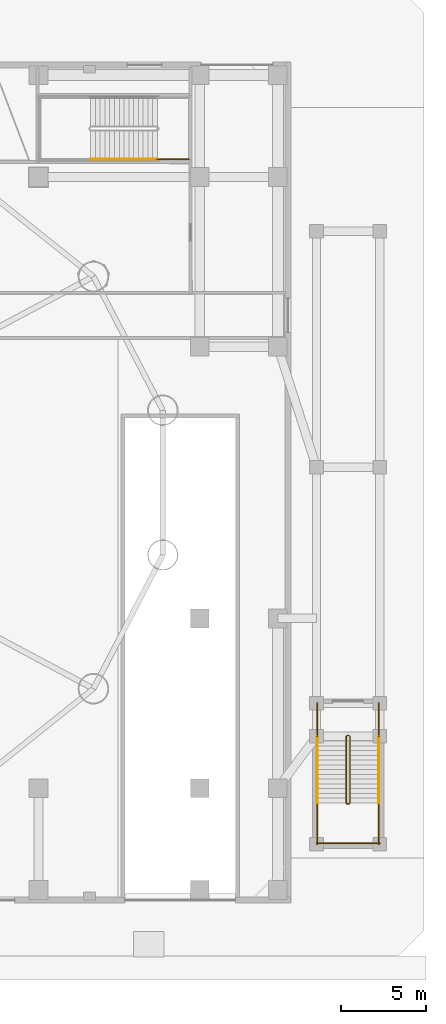
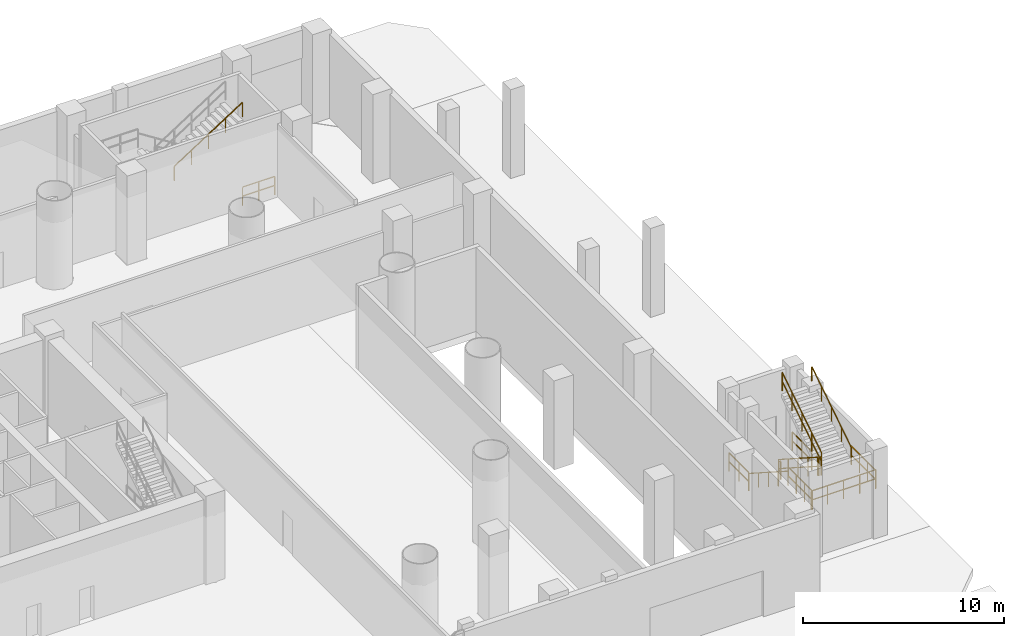
# One storey, part 23 of 25: 13 railings.
"""IFC4 building model written with IfcOpenShell, lengths in metres."""

from ifc_helpers import new_model, si_unit, direction, frame, origin, origin_2d, place, context, subcontext, project, spatial, rectangle, extrude, material, type_object, element, save


model = new_model("IFC4")

# Units and contexts
model_context = context("Model", 3, precision=1e-05, world=origin(), true_north=direction((-0.2419218956, 0.970295726276)))
body_context = subcontext(model_context, "Body", "Model", "MODEL_VIEW")
ifc_project = project(units=[si_unit("LENGTHUNIT", "METRE"), si_unit("AREAUNIT", "SQUARE_METRE"), si_unit("VOLUMEUNIT", "CUBIC_METRE"), si_unit("PLANEANGLEUNIT", "RADIAN"), si_unit("MASSUNIT", "GRAM", prefix="KILO")], contexts=[model_context])

# Site, building, storey
site_placement = place(None, origin())
site = spatial("IfcSite", under=ifc_project, at=site_placement, CompositionType="ELEMENT")
building_placement = place(site_placement, origin())
building = spatial("IfcBuilding", under=site, at=building_placement, Name="Cobrevalo Terracotta Tower", CompositionType="ELEMENT")
storey_placement = place(building_placement, origin())
storey = spatial("IfcBuildingStorey", under=building, at=storey_placement, Name="L00", CompositionType="ELEMENT", Elevation=0.0)

# Railings
ifc_material_1 = material(Name="Brushed stainless steel", Category="steel")
railing_type_1 = type_object("IfcRailingType", Name="Stainless Steel Stair Handrail 900", PredefinedType="HANDRAIL", material=ifc_material_1)
railing_1_placement = place(storey_placement, frame((60.580078125, 45.85009765625, 2.8798828125)))
element("IfcRailing", 1, at=railing_1_placement, inside=storey, type_object=railing_type_1, Name="L00 ST-P2 stair handrail 2", PredefinedType="HANDRAIL", context=body_context, shape_type="SweptSolid", body=[
    extrude(rectangle(XDim=0.048095703125, YDim=0.048095703125, at=origin_2d()), frame((0.0, 0.0, 0.8759765625), z_axis=(0.841171666519, 0.0, 0.540768182723), x_axis=(0.0, 1.0, 0.0)), (0.0, 0.0, 1.0), 4.66015625),
    extrude(rectangle(XDim=0.0419921875, YDim=0.0419921875, at=origin_2d()), origin(), (0.0, 0.0, 1.0), 0.851806640625),
    extrude(rectangle(XDim=0.0419921875, YDim=0.0419921875, at=origin_2d()), frame((0.97998046875, 0.0, 0.6298828125)), (0.0, 0.0, 1.0), 0.851806640625),
    extrude(rectangle(XDim=0.0419921875, YDim=0.0419921875, at=origin_2d()), frame((1.9599609375, 0.0, 1.260009765625)), (0.0, 0.0, 1.0), 0.851806640625),
    extrude(rectangle(XDim=0.0419921875, YDim=0.0419921875, at=origin_2d()), frame((2.93994140625, 0.0, 1.89013671875)), (0.0, 0.0, 1.0), 0.851806640625),
    extrude(rectangle(XDim=0.0419921875, YDim=0.0419921875, at=origin_2d()), frame((3.919921875, 0.0, 2.52001953125)), (0.0, 0.0, 1.0), 0.851806640625),
])
railing_2_placement = place(storey_placement, frame((73.929931640625, 11.85009765625, 0.179931640625)))
element("IfcRailing", 2, at=railing_2_placement, inside=storey, type_object=railing_type_1, Name="L00 ST-EXT-E stair handrail 1", PredefinedType="HANDRAIL", context=body_context, shape_type="SweptSolid", body=[
    extrude(rectangle(XDim=0.048095703125, YDim=0.048095703125, at=origin_2d()), frame((0.0, 0.0, 0.8759765625), z_axis=(0.0, -0.841186985886, 0.540744352514), x_axis=(1.0, 0.0, 0.0)), (0.0, 0.0, 1.0), 4.660400390625),
    extrude(rectangle(XDim=0.0419921875, YDim=0.0419921875, at=origin_2d()), origin(), (0.0, 0.0, 1.0), 0.851806640625),
    extrude(rectangle(XDim=0.0419921875, YDim=0.0419921875, at=origin_2d()), frame((0.0, -0.97998046875, 0.6298828125)), (0.0, 0.0, 1.0), 0.851806640625),
    extrude(rectangle(XDim=0.0419921875, YDim=0.0419921875, at=origin_2d()), frame((0.0, -1.9599609375, 1.260009765625)), (0.0, 0.0, 1.0), 0.851806640625),
    extrude(rectangle(XDim=0.0419921875, YDim=0.0419921875, at=origin_2d()), frame((0.0, -2.940185546875, 1.89013671875)), (0.0, 0.0, 1.0), 0.851806640625),
    extrude(rectangle(XDim=0.0419921875, YDim=0.0419921875, at=origin_2d()), frame((0.0, -3.920166015625, 2.52001953125)), (0.0, 0.0, 1.0), 0.851806640625),
])
railing_3_placement = place(storey_placement, frame((77.550048828125, 7.929931640625, 2.8798828125)))
element("IfcRailing", 3, at=railing_3_placement, inside=storey, type_object=railing_type_1, Name="L00 ST-EXT-E stair handrail 2", PredefinedType="HANDRAIL", context=body_context, shape_type="SweptSolid", body=[
    extrude(rectangle(XDim=0.048095703125, YDim=0.048095703125, at=origin_2d()), frame((0.0, 0.0, 0.8759765625), z_axis=(0.0, 0.841186985886, 0.540744352514), x_axis=(-1.0, 0.0, 0.0)), (0.0, 0.0, 1.0), 4.660400390625),
    extrude(rectangle(XDim=0.0419921875, YDim=0.0419921875, at=origin_2d()), origin(), (0.0, 0.0, 1.0), 0.851806640625),
    extrude(rectangle(XDim=0.0419921875, YDim=0.0419921875, at=origin_2d()), frame((0.0, 0.97998046875, 0.6298828125)), (0.0, 0.0, 1.0), 0.851806640625),
    extrude(rectangle(XDim=0.0419921875, YDim=0.0419921875, at=origin_2d()), frame((0.0, 1.9599609375, 1.260009765625)), (0.0, 0.0, 1.0), 0.851806640625),
    extrude(rectangle(XDim=0.0419921875, YDim=0.0419921875, at=origin_2d()), frame((0.0, 2.940185546875, 1.89013671875)), (0.0, 0.0, 1.0), 0.851806640625),
    extrude(rectangle(XDim=0.0419921875, YDim=0.0419921875, at=origin_2d()), frame((0.0, 3.920166015625, 2.52001953125)), (0.0, 0.0, 1.0), 0.851806640625),
])
ifc_material_2 = material(Name="Painted galvanized steel", Category="steel")
railing_type_2 = type_object("IfcRailingType", Name="Stair Well Guard Balustrade 1150", PredefinedType="GUARDRAIL", material=ifc_material_2)
railing_4_placement = place(storey_placement, frame((66.35009765625, 45.85009765625, 0.0)))
element("IfcRailing", 4, at=railing_4_placement, inside=storey, type_object=railing_type_2, Name="L00 ST-P2 stair guard 9", PredefinedType="GUARDRAIL", context=body_context, shape_type="SweptSolid", body=[
    extrude(rectangle(XDim=0.048095703125, YDim=0.048095703125, at=origin_2d()), frame((0.0, 0.0, 1.1259765625), z_axis=(-1.0, 0.0, 0.0), x_axis=(0.0, -1.0, 0.0)), (0.0, 0.0, 1.0), 1.85009765625),
    extrude(rectangle(XDim=0.048095703125, YDim=0.048095703125, at=origin_2d()), frame((0.0, 0.0, 0.574951171875), z_axis=(-1.0, 0.0, 0.0), x_axis=(0.0, -1.0, 0.0)), (0.0, 0.0, 1.0), 1.85009765625),
    extrude(rectangle(XDim=0.0419921875, YDim=0.0419921875, at=origin_2d()), origin(), (0.0, 0.0, 1.0), 1.101806640625),
    extrude(rectangle(XDim=0.0419921875, YDim=0.0419921875, at=origin_2d()), frame((-0.925048828125, 0.0, 0.0)), (0.0, 0.0, 1.0), 1.101806640625),
    extrude(rectangle(XDim=0.0419921875, YDim=0.0419921875, at=origin_2d()), frame((-1.85009765625, 0.0, 0.0)), (0.0, 0.0, 1.0), 1.101806640625),
])
railing_5_placement = place(storey_placement, frame((75.6298828125, 11.85009765625, 0.179931640625)))
element("IfcRailing", 5, at=railing_5_placement, inside=storey, type_object=railing_type_2, Name="L00 ST-EXT-E stair guard 1", PredefinedType="GUARDRAIL", context=body_context, shape_type="SweptSolid", body=[
    extrude(rectangle(XDim=0.048095703125, YDim=0.048095703125, at=origin_2d()), frame((0.0, 0.0, 1.1259765625), z_axis=(0.0, -0.841186985886, 0.540744352514), x_axis=(1.0, 0.0, 0.0)), (0.0, 0.0, 1.0), 4.660400390625),
    extrude(rectangle(XDim=0.048095703125, YDim=0.048095703125, at=origin_2d()), frame((0.0, 0.0, 0.574951171875), z_axis=(0.0, -0.841186985886, 0.540744352514), x_axis=(1.0, 0.0, 0.0)), (0.0, 0.0, 1.0), 4.660400390625),
    extrude(rectangle(XDim=0.0419921875, YDim=0.0419921875, at=origin_2d()), origin(), (0.0, 0.0, 1.0), 1.101806640625),
    extrude(rectangle(XDim=0.0419921875, YDim=0.0419921875, at=origin_2d()), frame((0.0, -0.97998046875, 0.6298828125)), (0.0, 0.0, 1.0), 1.101806640625),
    extrude(rectangle(XDim=0.0419921875, YDim=0.0419921875, at=origin_2d()), frame((0.0, -1.9599609375, 1.260009765625)), (0.0, 0.0, 1.0), 1.101806640625),
    extrude(rectangle(XDim=0.0419921875, YDim=0.0419921875, at=origin_2d()), frame((0.0, -2.940185546875, 1.89013671875)), (0.0, 0.0, 1.0), 1.101806640625),
    extrude(rectangle(XDim=0.0419921875, YDim=0.0419921875, at=origin_2d()), frame((0.0, -3.920166015625, 2.52001953125)), (0.0, 0.0, 1.0), 1.101806640625),
])
railing_6_placement = place(storey_placement, frame((75.679931640625, 7.8798828125, 2.699951171875)))
element("IfcRailing", 6, at=railing_6_placement, inside=storey, type_object=railing_type_2, Name="L00 ST-EXT-E stair guard 2", PredefinedType="GUARDRAIL", context=body_context, shape_type="SweptSolid", body=[
    extrude(rectangle(XDim=0.048095703125, YDim=0.048095703125, at=origin_2d()), frame((0.0, 0.0, 1.1259765625), z_axis=(1.0, 0.0, 0.0), x_axis=(0.0, 1.0, 0.0)), (0.0, 0.0, 1.0), 0.1201171875),
    extrude(rectangle(XDim=0.048095703125, YDim=0.048095703125, at=origin_2d()), frame((0.0, 0.0, 0.574951171875), z_axis=(1.0, 0.0, 0.0), x_axis=(0.0, 1.0, 0.0)), (0.0, 0.0, 1.0), 0.1201171875),
    extrude(rectangle(XDim=0.0419921875, YDim=0.0419921875, at=origin_2d()), origin(), (0.0, 0.0, 1.0), 1.101806640625),
    extrude(rectangle(XDim=0.0419921875, YDim=0.0419921875, at=origin_2d()), frame((0.1201171875, 0.0, 0.0)), (0.0, 0.0, 1.0), 1.101806640625),
])
for number, where, name in (
    (7, (73.929931640625, 7.929931640625, 2.699951171875), "L00 ST-EXT-E stair guard 3"),
    (8, (77.550048828125, 7.929931640625, 2.699951171875), "L00 ST-EXT-E stair guard 4"),
):
    element("IfcRailing", number, at=place(storey_placement, frame(where)), inside=storey, type_object=railing_type_2, Name=name, PredefinedType="GUARDRAIL", context=body_context, shape_type="SweptSolid", body=[
        extrude(rectangle(XDim=0.048095703125, YDim=0.048095703125, at=origin_2d()), frame((0.0, 0.0, 1.1259765625), z_axis=(0.0, -1.0, 0.0), x_axis=(1.0, 0.0, 0.0)), (0.0, 0.0, 1.0), 2.429931640625),
        extrude(rectangle(XDim=0.048095703125, YDim=0.048095703125, at=origin_2d()), frame((0.0, 0.0, 0.574951171875), z_axis=(0.0, -1.0, 0.0), x_axis=(1.0, 0.0, 0.0)), (0.0, 0.0, 1.0), 2.429931640625),
        extrude(rectangle(XDim=0.0419921875, YDim=0.0419921875, at=origin_2d()), origin(), (0.0, 0.0, 1.0), 1.101806640625),
        extrude(rectangle(XDim=0.0419921875, YDim=0.0419921875, at=origin_2d()), frame((0.0, -0.81005859375, 0.0)), (0.0, 0.0, 1.0), 1.101806640625),
        extrude(rectangle(XDim=0.0419921875, YDim=0.0419921875, at=origin_2d()), frame((0.0, -1.619873046875, 0.0)), (0.0, 0.0, 1.0), 1.101806640625),
        extrude(rectangle(XDim=0.0419921875, YDim=0.0419921875, at=origin_2d()), frame((0.0, -2.429931640625, 0.0)), (0.0, 0.0, 1.0), 1.101806640625),
    ])
railing_7_placement = place(storey_placement, frame((73.8798828125, 5.550048828125, 2.699951171875)))
element("IfcRailing", 9, at=railing_7_placement, inside=storey, type_object=railing_type_2, Name="L00 ST-EXT-E stair guard 5", PredefinedType="GUARDRAIL", context=body_context, shape_type="SweptSolid", body=[
    extrude(rectangle(XDim=0.048095703125, YDim=0.048095703125, at=origin_2d()), frame((0.0, 0.0, 1.1259765625), z_axis=(1.0, 0.0, 0.0), x_axis=(0.0, 1.0, 0.0)), (0.0, 0.0, 1.0), 3.72021484375),
    extrude(rectangle(XDim=0.048095703125, YDim=0.048095703125, at=origin_2d()), frame((0.0, 0.0, 0.574951171875), z_axis=(1.0, 0.0, 0.0), x_axis=(0.0, 1.0, 0.0)), (0.0, 0.0, 1.0), 3.72021484375),
    extrude(rectangle(XDim=0.0419921875, YDim=0.0419921875, at=origin_2d()), origin(), (0.0, 0.0, 1.0), 1.101806640625),
    extrude(rectangle(XDim=0.0419921875, YDim=0.0419921875, at=origin_2d()), frame((0.93017578125, 0.0, 0.0)), (0.0, 0.0, 1.0), 1.101806640625),
    extrude(rectangle(XDim=0.0419921875, YDim=0.0419921875, at=origin_2d()), frame((1.860107421875, 0.0, 0.0)), (0.0, 0.0, 1.0), 1.101806640625),
    extrude(rectangle(XDim=0.0419921875, YDim=0.0419921875, at=origin_2d()), frame((2.7900390625, 0.0, 0.0)), (0.0, 0.0, 1.0), 1.101806640625),
    extrude(rectangle(XDim=0.0419921875, YDim=0.0419921875, at=origin_2d()), frame((3.72021484375, 0.0, 0.0)), (0.0, 0.0, 1.0), 1.101806640625),
])
railing_8_placement = place(storey_placement, frame((75.85009765625, 7.929931640625, 2.8798828125)))
element("IfcRailing", 10, at=railing_8_placement, inside=storey, type_object=railing_type_2, Name="L00 ST-EXT-E stair guard 6", PredefinedType="GUARDRAIL", context=body_context, shape_type="SweptSolid", body=[
    extrude(rectangle(XDim=0.048095703125, YDim=0.048095703125, at=origin_2d()), frame((0.0, 0.0, 1.1259765625), z_axis=(0.0, 0.841186985886, 0.540744352514), x_axis=(-1.0, 0.0, 0.0)), (0.0, 0.0, 1.0), 4.660400390625),
    extrude(rectangle(XDim=0.048095703125, YDim=0.048095703125, at=origin_2d()), frame((0.0, 0.0, 0.574951171875), z_axis=(0.0, 0.841186985886, 0.540744352514), x_axis=(-1.0, 0.0, 0.0)), (0.0, 0.0, 1.0), 4.660400390625),
    extrude(rectangle(XDim=0.0419921875, YDim=0.0419921875, at=origin_2d()), origin(), (0.0, 0.0, 1.0), 1.101806640625),
    extrude(rectangle(XDim=0.0419921875, YDim=0.0419921875, at=origin_2d()), frame((0.0, 0.97998046875, 0.6298828125)), (0.0, 0.0, 1.0), 1.101806640625),
    extrude(rectangle(XDim=0.0419921875, YDim=0.0419921875, at=origin_2d()), frame((0.0, 1.9599609375, 1.260009765625)), (0.0, 0.0, 1.0), 1.101806640625),
    extrude(rectangle(XDim=0.0419921875, YDim=0.0419921875, at=origin_2d()), frame((0.0, 2.940185546875, 1.89013671875)), (0.0, 0.0, 1.0), 1.101806640625),
    extrude(rectangle(XDim=0.0419921875, YDim=0.0419921875, at=origin_2d()), frame((0.0, 3.920166015625, 2.52001953125)), (0.0, 0.0, 1.0), 1.101806640625),
])
railing_9_placement = place(storey_placement, frame((75.679931640625, 11.89990234375, 0.0)))
element("IfcRailing", 11, at=railing_9_placement, inside=storey, type_object=railing_type_2, Name="L00 ST-EXT-E stair guard 7", PredefinedType="GUARDRAIL", context=body_context, shape_type="SweptSolid", body=[
    extrude(rectangle(XDim=0.048095703125, YDim=0.048095703125, at=origin_2d()), frame((0.0, 0.0, 1.1259765625), z_axis=(1.0, 0.0, 0.0), x_axis=(0.0, 1.0, 0.0)), (0.0, 0.0, 1.0), 0.1201171875),
    extrude(rectangle(XDim=0.048095703125, YDim=0.048095703125, at=origin_2d()), frame((0.0, 0.0, 0.574951171875), z_axis=(1.0, 0.0, 0.0), x_axis=(0.0, 1.0, 0.0)), (0.0, 0.0, 1.0), 0.1201171875),
    extrude(rectangle(XDim=0.0419921875, YDim=0.0419921875, at=origin_2d()), origin(), (0.0, 0.0, 1.0), 1.101806640625),
    extrude(rectangle(XDim=0.0419921875, YDim=0.0419921875, at=origin_2d()), frame((0.1201171875, 0.0, 0.0)), (0.0, 0.0, 1.0), 1.101806640625),
])
for number, where, name in (
    (12, (73.929931640625, 13.800048828125, 0.0), "L00 ST-EXT-E stair guard 8"),
    (13, (77.550048828125, 13.800048828125, 0.0), "L00 ST-EXT-E stair guard 9"),
):
    element("IfcRailing", number, at=place(storey_placement, frame(where)), inside=storey, type_object=railing_type_2, Name=name, PredefinedType="GUARDRAIL", context=body_context, shape_type="SweptSolid", body=[
        extrude(rectangle(XDim=0.048095703125, YDim=0.048095703125, at=origin_2d()), frame((0.0, 0.0, 1.1259765625), z_axis=(0.0, -1.0, 0.0), x_axis=(1.0, 0.0, 0.0)), (0.0, 0.0, 1.0), 1.949951171875),
        extrude(rectangle(XDim=0.048095703125, YDim=0.048095703125, at=origin_2d()), frame((0.0, 0.0, 0.574951171875), z_axis=(0.0, -1.0, 0.0), x_axis=(1.0, 0.0, 0.0)), (0.0, 0.0, 1.0), 1.949951171875),
        extrude(rectangle(XDim=0.0419921875, YDim=0.0419921875, at=origin_2d()), origin(), (0.0, 0.0, 1.0), 1.101806640625),
        extrude(rectangle(XDim=0.0419921875, YDim=0.0419921875, at=origin_2d()), frame((0.0, -0.97509765625, 0.0)), (0.0, 0.0, 1.0), 1.101806640625),
        extrude(rectangle(XDim=0.0419921875, YDim=0.0419921875, at=origin_2d()), frame((0.0, -1.949951171875, 0.0)), (0.0, 0.0, 1.0), 1.101806640625),
    ])

save(model, "model.ifc")
